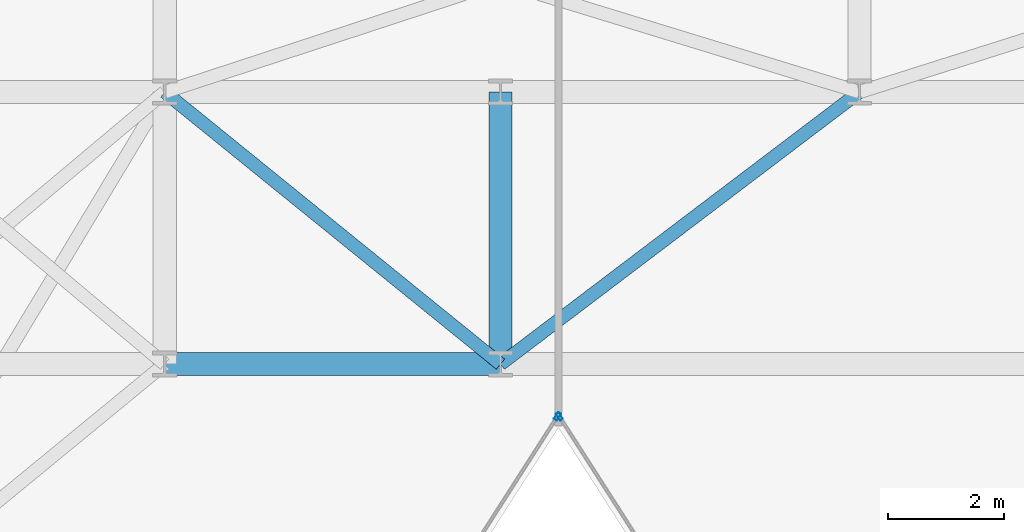
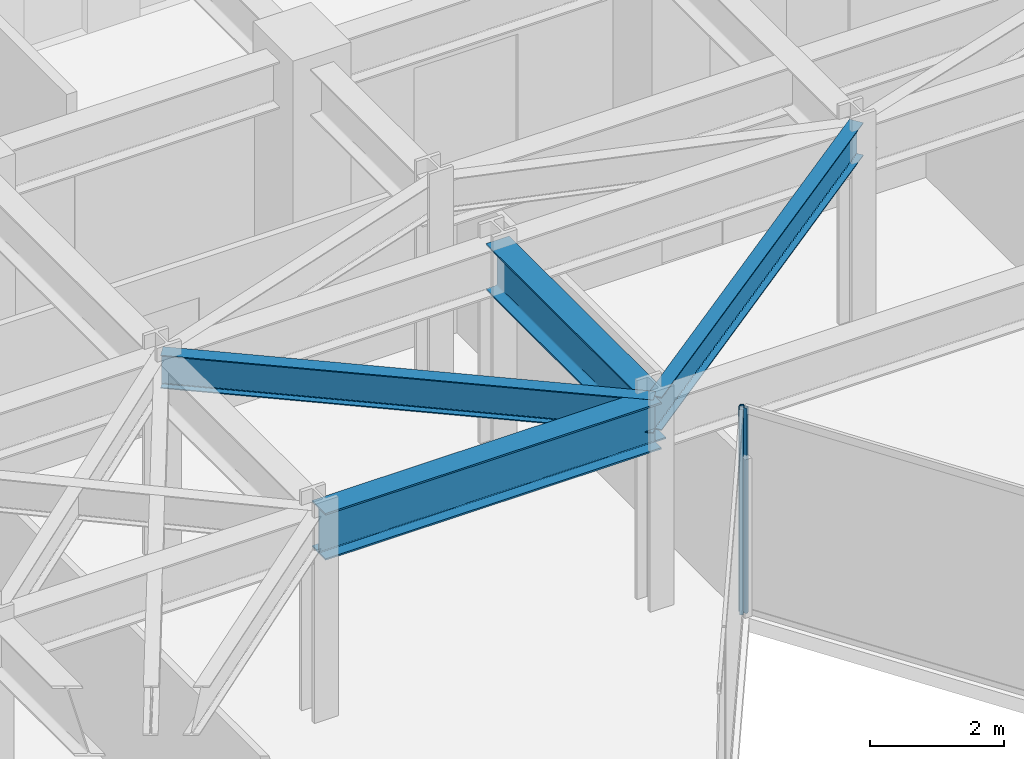
# One storey, part 13 of 26: 4 beams, 2 members, 2 elements without a shape of their own.
"""IFC4 building model written with IfcOpenShell, lengths in metres."""

from ifc_helpers import new_model, si_unit, direction, frame, origin, origin_2d, place, context, subcontext, project, spatial, hollow_rectangle, i_section, extrude, material, layer, layer_set, material_profile, profile_set, type_object, element, aggregate, save


model = new_model("IFC4")

# Units and contexts
model_context = context("Model", 3, precision=1e-05, world=origin(), true_north=direction((0.0, 1.0)))
body_context = subcontext(model_context, "Body", "Model", "MODEL_VIEW")
ifc_project = project(units=[si_unit("LENGTHUNIT", "METRE"), si_unit("AREAUNIT", "SQUARE_METRE"), si_unit("VOLUMEUNIT", "CUBIC_METRE"), si_unit("PLANEANGLEUNIT", "RADIAN"), si_unit("MASSUNIT", "GRAM", prefix="KILO")], contexts=[model_context])

# Site, building, storey
site_placement = place(None, origin())
site = spatial("IfcSite", under=ifc_project, at=site_placement, CompositionType="ELEMENT")
building_placement = place(site_placement, origin())
building = spatial("IfcBuilding", under=site, at=building_placement, Name="Kravanh Interchange Tower", CompositionType="ELEMENT")
storey_placement = place(building_placement, frame((0.0, 0.0, 132.0)))
storey = spatial("IfcBuildingStorey", under=building, at=storey_placement, Name="L31", CompositionType="ELEMENT", Elevation=132.0)

# Curtain wall, member
ifc_material_1 = material(Name="Anodised Bronze Aluminium", Category="aluminium")
ifc_layer = layer(ifc_material_1, 0.179931640625)
ifc_layer_set = layer_set([ifc_layer], Name="Unitised Curtain Wall System CW-Z2 Mid Office")
curtain_wall_type = type_object("IfcCurtainWallType", Name="Unitised Curtain Wall System CW-Z2 Mid Office", PredefinedType="NOTDEFINED", material=ifc_layer_set)
curtain_wall_1_placement = place(storey_placement, origin())
curtain_wall_1 = element("IfcCurtainWall", 1, at=curtain_wall_1_placement, inside=storey, type_object=curtain_wall_type, Name="L31 Unitised Curtain Wall CW-L31-04", PredefinedType="NOTDEFINED")
ifc_material_2 = material(Name="Anodised Bronze Aluminium", Category="aluminium")
ifc_material_profile_1 = material_profile(ifc_material_2, hollow_rectangle(XDim=0.06005859375, YDim=0.139892578125, WallThickness=0.00390625, at=origin_2d()), Name="ALU60X140X4")
ifc_profile_set_1 = profile_set([ifc_material_profile_1], Name="Anodised Bronze Aluminium")
member_type = type_object("IfcMemberType", Name="Curtain Wall Mullion ALU60X140X4 Bronze", PredefinedType="MULLION", material=ifc_profile_set_1)
member_1_placement = place(storey_placement, frame((39.6162109375, 25.897216796875, 0.0), z_axis=(0.0, 0.0, 1.0), x_axis=(-0.841879939476, -0.539664865919, 0.0)))
member_1 = element("IfcMember", 2, at=member_1_placement, type_object=member_type, Name="CW-Z2 mullion 5", PredefinedType="MULLION", context=body_context, shape_type="SweptSolid", body=[
    extrude(hollow_rectangle(XDim=0.06005859375, YDim=0.139892578125, WallThickness=0.00390625, at=origin_2d()), origin(), (0.0, 0.0, 1.0), 3.75),
])
aggregate(curtain_wall_1, [member_1])

curtain_wall_2_placement = place(storey_placement, origin())
curtain_wall_2 = element("IfcCurtainWall", 3, at=curtain_wall_2_placement, inside=storey, type_object=curtain_wall_type, Name="L31 Unitised Curtain Wall CW-L31-05", PredefinedType="NOTDEFINED")
member_2_placement = place(storey_placement, frame((39.583740234375, 25.897216796875, 0.0), z_axis=(0.0, 0.0, 1.0), x_axis=(0.841879939476, -0.539664865919, 0.0)))
member_2 = element("IfcMember", 4, at=member_2_placement, type_object=member_type, Name="CW-Z2 mullion 1", PredefinedType="MULLION", context=body_context, shape_type="SweptSolid", body=[
    extrude(hollow_rectangle(XDim=0.06005859375, YDim=0.139892578125, WallThickness=0.00390625, at=origin_2d()), origin(), (0.0, 0.0, 1.0), 3.75),
])
aggregate(curtain_wall_2, [member_2])

# Beams
ifc_material_3 = material(Name="Structural Steel S355", Category="steel")
ifc_material_profile_2 = material_profile(ifc_material_3, i_section(OverallWidth=0.39990234375, OverallDepth=0.85595703125, WebThickness=0.018310546875, FlangeThickness=0.029296875, FilletRadius=0.02490234375, at=origin_2d()), Name="W33X201")
ifc_profile_set_2 = profile_set([ifc_material_profile_2], Name="Structural Steel S355")
beam_type_1 = type_object("IfcBeamType", Name="Floor Beam W33X201 Structural Steel S355", PredefinedType="BEAM", material=ifc_profile_set_2)
beam_1_placement = place(storey_placement, frame((32.800048828125, 26.800048828125, 3.322021484375), z_axis=(1.0, 0.0, 0.0), x_axis=(0.0, 1.0, 0.0)))
element("IfcBeam", 5, at=beam_1_placement, inside=storey, type_object=beam_type_1, Name="L31 Primary Floor Girder 50", PredefinedType="BEAM", context=body_context, shape_type="SweptSolid", body=[
    extrude(i_section(OverallWidth=0.39990234375, OverallDepth=0.85595703125, WebThickness=0.018310546875, FlangeThickness=0.029296875, FilletRadius=0.02490234375, at=origin_2d()), origin(), (0.0, 0.0, 1.0), 5.800048828125),
])
beam_2_placement = place(storey_placement, frame((38.60009765625, 26.800048828125, 3.322021484375), z_axis=(0.0, 1.0, 0.0), x_axis=(-1.0, 0.0, 0.0)))
element("IfcBeam", 6, at=beam_2_placement, inside=storey, type_object=beam_type_1, Name="L31 Primary Floor Girder 53", PredefinedType="BEAM", context=body_context, shape_type="SweptSolid", body=[
    extrude(i_section(OverallWidth=0.39990234375, OverallDepth=0.85595703125, WebThickness=0.018310546875, FlangeThickness=0.029296875, FilletRadius=0.02490234375, at=origin_2d()), origin(), (0.0, 0.0, 1.0), 4.699951171875),
])
ifc_material_4 = material(Name="Structural Steel S355", Category="steel")
ifc_material_profile_3 = material_profile(ifc_material_4, i_section(OverallWidth=0.22802734375, OverallDepth=0.60791015625, WebThickness=0.01123046875, FlangeThickness=0.017333984375, FilletRadius=0.02197265625, at=origin_2d()), Name="W24X76")
ifc_profile_set_3 = profile_set([ifc_material_profile_3], Name="Structural Steel S355")
beam_type_2 = type_object("IfcBeamType", Name="Floor Spandrel W24X76 Structural Steel S355", PredefinedType="SPANDREL", material=ifc_profile_set_3)
beam_3_placement = place(storey_placement, frame((38.60009765625, 26.800048828125, 3.446044921875), z_axis=(-0.776938619557, 0.629576350764, 0.0), x_axis=(-0.629576350764, -0.776938619557, 0.0)))
element("IfcBeam", 7, at=beam_3_placement, inside=storey, type_object=beam_type_2, Name="L31 Perimeter Spandrel 54", PredefinedType="SPANDREL", context=body_context, shape_type="SweptSolid", body=[
    extrude(i_section(OverallWidth=0.22802734375, OverallDepth=0.60791015625, WebThickness=0.01123046875, FlangeThickness=0.017333984375, FilletRadius=0.02197265625, at=origin_2d()), origin(), (0.0, 0.0, 1.0), 7.46533203125),
])
beam_4_placement = place(storey_placement, frame((38.60009765625, 26.800048828125, 3.446044921875), z_axis=(0.796905365509, 0.604104161898, 0.0), x_axis=(-0.604104161898, 0.796905365509, 0.0)))
element("IfcBeam", 8, at=beam_4_placement, inside=storey, type_object=beam_type_2, Name="L31 Perimeter Spandrel 55", PredefinedType="SPANDREL", context=body_context, shape_type="SweptSolid", body=[
    extrude(i_section(OverallWidth=0.22802734375, OverallDepth=0.60791015625, WebThickness=0.01123046875, FlangeThickness=0.017333984375, FilletRadius=0.02197265625, at=origin_2d()), origin(), (0.0, 0.0, 1.0), 7.780029296875),
])

save(model, "model.ifc")
